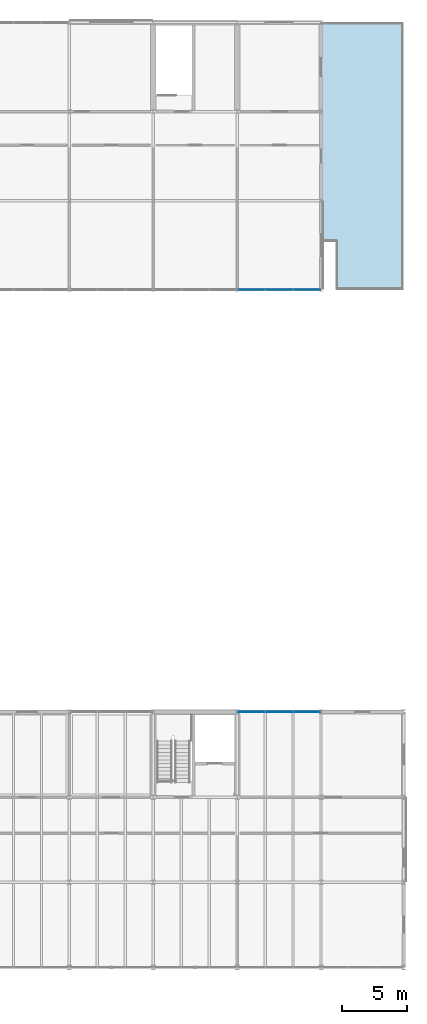
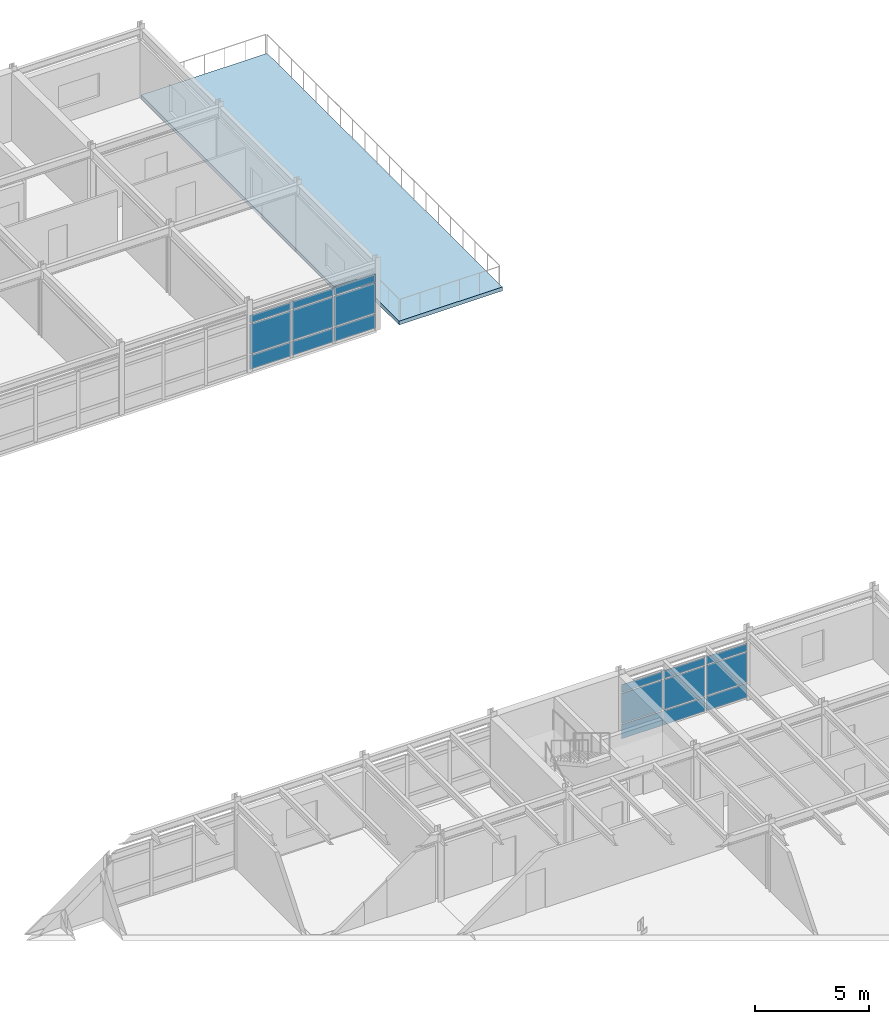
# One storey, part 38 of 57: 18 plates, 1 slab, 2 elements without a shape of their own.
"""IFC4 building model written with IfcOpenShell, lengths in metres."""

from ifc_helpers import new_model, si_unit, direction, frame, origin, origin_2d, place, context, subcontext, project, spatial, polyline, rectangle, outline, extrude, material, layer, layer_set, type_object, element, aggregate, save


model = new_model("IFC4")

# Units and contexts
model_context = context("Model", 3, precision=1e-05, world=origin(), true_north=direction((0.0, 1.0)))
body_context = subcontext(model_context, "Body", "Model", "MODEL_VIEW")
ifc_project = project(units=[si_unit("LENGTHUNIT", "METRE"), si_unit("AREAUNIT", "SQUARE_METRE"), si_unit("VOLUMEUNIT", "CUBIC_METRE"), si_unit("PLANEANGLEUNIT", "RADIAN"), si_unit("MASSUNIT", "GRAM", prefix="KILO")], contexts=[model_context])

# Site, building, storey
site_placement = place(None, origin())
site = spatial("IfcSite", under=ifc_project, at=site_placement, CompositionType="ELEMENT")
building_placement = place(site_placement, origin())
building = spatial("IfcBuilding", under=site, at=building_placement, Name="Trelmorton Wharf Fire Station", CompositionType="ELEMENT")
storey_placement = place(building_placement, frame((0.0, 0.0, 13.5)))
storey = spatial("IfcBuildingStorey", under=building, at=storey_placement, Name="L03", CompositionType="ELEMENT", Elevation=13.5)

# Curtain wall, plates
ifc_material_1 = material(Name="Anodised aluminium AW-6063", Category="aluminium")
ifc_layer_1 = layer(ifc_material_1, 0.14990234375)
ifc_layer_set_1 = layer_set([ifc_layer_1], Name="Anodised aluminium AW-6063")
curtain_wall_type_1 = type_object("IfcCurtainWallType", Name="CW_UNIT_A", PredefinedType="USERDEFINED", material=ifc_layer_set_1)
curtain_wall_1_placement = place(storey_placement, origin())
curtain_wall_1 = element("IfcCurtainWall", 1, at=curtain_wall_1_placement, inside=storey, type_object=curtain_wall_type_1, Name="CW-V5-L03-071", ObjectType="UNITISED CURTAIN WALL", PredefinedType="USERDEFINED")
ifc_material_2 = material(Name="Tempered low-E double glazing", Category="glass")
ifc_layer_2 = layer(ifc_material_2, 0.028076171875)
ifc_layer_set_2 = layer_set([ifc_layer_2], Name="Tempered low-E double glazing")
plate_type_1 = type_object("IfcPlateType", Name="CWP_GLAZ_28", PredefinedType="CURTAIN_PANEL", material=ifc_layer_set_2)
plate_1_placement = place(storey_placement, frame((150.6015625, 27.60009765625, 0.06005859375), z_axis=(0.0, 0.0, 1.0), x_axis=(1.0, 0.0, 0.0)))
plate_1 = element("IfcPlate", 2, at=plate_1_placement, type_object=plate_type_1, Name="CW3 panel 1.1", PredefinedType="CURTAIN_PANEL", context=body_context, shape_type="SweptSolid", body=[
    extrude(rectangle(XDim=2.0732421875, YDim=0.028076171875, at=origin_2d()), origin(), (0.0, 0.0, 1.0), 0.760009765625),
])
plate_2_placement = place(storey_placement, frame((150.6015625, 27.60009765625, 0.8798828125), z_axis=(0.0, 0.0, 1.0), x_axis=(1.0, 0.0, 0.0)))
plate_2 = element("IfcPlate", 3, at=plate_2_placement, type_object=plate_type_1, Name="CW3 panel 1.2", PredefinedType="CURTAIN_PANEL", context=body_context, shape_type="SweptSolid", body=[
    extrude(rectangle(XDim=2.0732421875, YDim=0.028076171875, at=origin_2d()), origin(), (0.0, 0.0, 1.0), 1.610107421875),
])
plate_3_placement = place(storey_placement, frame((150.6015625, 27.60009765625, 2.5498046875), z_axis=(0.0, 0.0, 1.0), x_axis=(1.0, 0.0, 0.0)))
plate_3 = element("IfcPlate", 4, at=plate_3_placement, type_object=plate_type_1, Name="CW3 panel 1.3", PredefinedType="CURTAIN_PANEL", context=body_context, shape_type="SweptSolid", body=[
    extrude(rectangle(XDim=2.0732421875, YDim=0.028076171875, at=origin_2d()), origin(), (0.0, 0.0, 1.0), 0.409912109375),
])
plate_4_placement = place(storey_placement, frame((152.75, 27.60009765625, 0.06005859375), z_axis=(0.0, 0.0, 1.0), x_axis=(1.0, 0.0, 0.0)))
plate_4 = element("IfcPlate", 5, at=plate_4_placement, type_object=plate_type_1, Name="CW3 panel 2.1", PredefinedType="CURTAIN_PANEL", context=body_context, shape_type="SweptSolid", body=[
    extrude(rectangle(XDim=2.103271484375, YDim=0.028076171875, at=origin_2d()), origin(), (0.0, 0.0, 1.0), 0.760009765625),
])
plate_5_placement = place(storey_placement, frame((152.75, 27.60009765625, 0.8798828125), z_axis=(0.0, 0.0, 1.0), x_axis=(1.0, 0.0, 0.0)))
plate_5 = element("IfcPlate", 6, at=plate_5_placement, type_object=plate_type_1, Name="CW3 panel 2.2", PredefinedType="CURTAIN_PANEL", context=body_context, shape_type="SweptSolid", body=[
    extrude(rectangle(XDim=2.103271484375, YDim=0.028076171875, at=origin_2d()), origin(), (0.0, 0.0, 1.0), 1.610107421875),
])
plate_6_placement = place(storey_placement, frame((152.75, 27.60009765625, 2.5498046875), z_axis=(0.0, 0.0, 1.0), x_axis=(1.0, 0.0, 0.0)))
plate_6 = element("IfcPlate", 7, at=plate_6_placement, type_object=plate_type_1, Name="CW3 panel 2.3", PredefinedType="CURTAIN_PANEL", context=body_context, shape_type="SweptSolid", body=[
    extrude(rectangle(XDim=2.103271484375, YDim=0.028076171875, at=origin_2d()), origin(), (0.0, 0.0, 1.0), 0.409912109375),
])
plate_7_placement = place(storey_placement, frame((154.8984375, 27.60009765625, 0.06005859375), z_axis=(0.0, 0.0, 1.0), x_axis=(1.0, 0.0, 0.0)))
plate_7 = element("IfcPlate", 8, at=plate_7_placement, type_object=plate_type_1, Name="CW3 panel 3.1", PredefinedType="CURTAIN_PANEL", context=body_context, shape_type="SweptSolid", body=[
    extrude(rectangle(XDim=2.0732421875, YDim=0.028076171875, at=origin_2d()), origin(), (0.0, 0.0, 1.0), 0.760009765625),
])
plate_8_placement = place(storey_placement, frame((154.8984375, 27.60009765625, 0.8798828125), z_axis=(0.0, 0.0, 1.0), x_axis=(1.0, 0.0, 0.0)))
plate_8 = element("IfcPlate", 9, at=plate_8_placement, type_object=plate_type_1, Name="CW3 panel 3.2", PredefinedType="CURTAIN_PANEL", context=body_context, shape_type="SweptSolid", body=[
    extrude(rectangle(XDim=2.0732421875, YDim=0.028076171875, at=origin_2d()), origin(), (0.0, 0.0, 1.0), 1.610107421875),
])
plate_9_placement = place(storey_placement, frame((154.8984375, 27.60009765625, 2.5498046875), z_axis=(0.0, 0.0, 1.0), x_axis=(1.0, 0.0, 0.0)))
plate_9 = element("IfcPlate", 10, at=plate_9_placement, type_object=plate_type_1, Name="CW3 panel 3.3", PredefinedType="CURTAIN_PANEL", context=body_context, shape_type="SweptSolid", body=[
    extrude(rectangle(XDim=2.0732421875, YDim=0.028076171875, at=origin_2d()), origin(), (0.0, 0.0, 1.0), 0.409912109375),
])
aggregate(curtain_wall_1, [plate_1, plate_2, plate_3, plate_4, plate_5, plate_6, plate_7, plate_8, plate_9])

ifc_layer_3 = layer(ifc_material_1, 0.175048828125)
ifc_layer_set_3 = layer_set([ifc_layer_3], Name="Anodised aluminium AW-6063")
curtain_wall_type_2 = type_object("IfcCurtainWallType", Name="CW_CHIC_B", PredefinedType="USERDEFINED", material=ifc_layer_set_3)
curtain_wall_2_placement = place(storey_placement, origin())
curtain_wall_2 = element("IfcCurtainWall", 11, at=curtain_wall_2_placement, inside=storey, type_object=curtain_wall_type_2, Name="CW-V4-L03-150", ObjectType="CHICAGO BAY CURTAIN WALL", PredefinedType="USERDEFINED")
ifc_material_3 = material(Name="Ceramic-fritted spandrel glazing", Category="glass")
ifc_layer_4 = layer(ifc_material_3, 0.028076171875)
ifc_layer_set_4 = layer_set([ifc_layer_4], Name="Ceramic-fritted spandrel glazing")
plate_type_2 = type_object("IfcPlateType", Name="CWP_SPAN_48", PredefinedType="CURTAIN_PANEL", material=ifc_layer_set_4)
plate_10_placement = place(storey_placement, frame((154.8984375, 60.300048828125, 0.06005859375), z_axis=(0.0, 0.0, 1.0), x_axis=(-1.0, 0.0, 0.0)))
plate_10 = element("IfcPlate", 12, at=plate_10_placement, type_object=plate_type_2, Name="CW2 panel 1.1", PredefinedType="CURTAIN_PANEL", context=body_context, shape_type="SweptSolid", body=[
    extrude(rectangle(XDim=2.0732421875, YDim=0.028076171875, at=origin_2d()), origin(), (0.0, 0.0, 1.0), 0.760009765625),
])
plate_11_placement = place(storey_placement, frame((154.8984375, 60.300048828125, 0.8798828125), z_axis=(0.0, 0.0, 1.0), x_axis=(-1.0, 0.0, 0.0)))
plate_11 = element("IfcPlate", 13, at=plate_11_placement, type_object=plate_type_2, Name="CW2 panel 1.2", PredefinedType="CURTAIN_PANEL", context=body_context, shape_type="SweptSolid", body=[
    extrude(rectangle(XDim=2.0732421875, YDim=0.028076171875, at=origin_2d()), origin(), (0.0, 0.0, 1.0), 1.610107421875),
])
plate_12_placement = place(storey_placement, frame((154.8984375, 60.300048828125, 2.5498046875), z_axis=(0.0, 0.0, 1.0), x_axis=(-1.0, 0.0, 0.0)))
plate_12 = element("IfcPlate", 14, at=plate_12_placement, type_object=plate_type_2, Name="CW2 panel 1.3", PredefinedType="CURTAIN_PANEL", context=body_context, shape_type="SweptSolid", body=[
    extrude(rectangle(XDim=2.0732421875, YDim=0.028076171875, at=origin_2d()), origin(), (0.0, 0.0, 1.0), 0.409912109375),
])
plate_13_placement = place(storey_placement, frame((152.75, 60.300048828125, 0.06005859375), z_axis=(0.0, 0.0, 1.0), x_axis=(-1.0, 0.0, 0.0)))
plate_13 = element("IfcPlate", 15, at=plate_13_placement, type_object=plate_type_2, Name="CW2 panel 2.1", PredefinedType="CURTAIN_PANEL", context=body_context, shape_type="SweptSolid", body=[
    extrude(rectangle(XDim=2.103271484375, YDim=0.028076171875, at=origin_2d()), origin(), (0.0, 0.0, 1.0), 0.760009765625),
])
plate_14_placement = place(storey_placement, frame((152.75, 60.300048828125, 0.8798828125), z_axis=(0.0, 0.0, 1.0), x_axis=(-1.0, 0.0, 0.0)))
plate_14 = element("IfcPlate", 16, at=plate_14_placement, type_object=plate_type_2, Name="CW2 panel 2.2", PredefinedType="CURTAIN_PANEL", context=body_context, shape_type="SweptSolid", body=[
    extrude(rectangle(XDim=2.103271484375, YDim=0.028076171875, at=origin_2d()), origin(), (0.0, 0.0, 1.0), 1.610107421875),
])
plate_15_placement = place(storey_placement, frame((152.75, 60.300048828125, 2.5498046875), z_axis=(0.0, 0.0, 1.0), x_axis=(-1.0, 0.0, 0.0)))
plate_15 = element("IfcPlate", 17, at=plate_15_placement, type_object=plate_type_2, Name="CW2 panel 2.3", PredefinedType="CURTAIN_PANEL", context=body_context, shape_type="SweptSolid", body=[
    extrude(rectangle(XDim=2.103271484375, YDim=0.028076171875, at=origin_2d()), origin(), (0.0, 0.0, 1.0), 0.409912109375),
])
plate_16_placement = place(storey_placement, frame((150.6015625, 60.300048828125, 0.06005859375), z_axis=(0.0, 0.0, 1.0), x_axis=(-1.0, 0.0, 0.0)))
plate_16 = element("IfcPlate", 18, at=plate_16_placement, type_object=plate_type_2, Name="CW2 panel 3.1", PredefinedType="CURTAIN_PANEL", context=body_context, shape_type="SweptSolid", body=[
    extrude(rectangle(XDim=2.0732421875, YDim=0.028076171875, at=origin_2d()), origin(), (0.0, 0.0, 1.0), 0.760009765625),
])
plate_17_placement = place(storey_placement, frame((150.6015625, 60.300048828125, 0.8798828125), z_axis=(0.0, 0.0, 1.0), x_axis=(-1.0, 0.0, 0.0)))
plate_17 = element("IfcPlate", 19, at=plate_17_placement, type_object=plate_type_2, Name="CW2 panel 3.2", PredefinedType="CURTAIN_PANEL", context=body_context, shape_type="SweptSolid", body=[
    extrude(rectangle(XDim=2.0732421875, YDim=0.028076171875, at=origin_2d()), origin(), (0.0, 0.0, 1.0), 1.610107421875),
])
plate_18_placement = place(storey_placement, frame((150.6015625, 60.300048828125, 2.5498046875), z_axis=(0.0, 0.0, 1.0), x_axis=(-1.0, 0.0, 0.0)))
plate_18 = element("IfcPlate", 20, at=plate_18_placement, type_object=plate_type_2, Name="CW2 panel 3.3", PredefinedType="CURTAIN_PANEL", context=body_context, shape_type="SweptSolid", body=[
    extrude(rectangle(XDim=2.0732421875, YDim=0.028076171875, at=origin_2d()), origin(), (0.0, 0.0, 1.0), 0.409912109375),
])
aggregate(curtain_wall_2, [plate_10, plate_11, plate_12, plate_13, plate_14, plate_15, plate_16, plate_17, plate_18])

# Slab
ifc_material_4 = material(Name="Concrete 40 MPa", Category="concrete")
ifc_layer_5 = layer(ifc_material_4, 0.2099609375)
ifc_layer_set_5 = layer_set([ifc_layer_5], Name="Concrete 40 MPa")
slab_type = type_object("IfcSlabType", Name="SL_TERRACE_210", PredefinedType="FLOOR", material=ifc_layer_set_5)
slab_placement = place(storey_placement, frame((0.0, 0.0, -0.2099609375)))
element("IfcSlab", 21, at=slab_placement, inside=storey, type_object=slab_type, Name="SL-EXT-V4_TERRACE_E_L03", PredefinedType="FLOOR", context=body_context, shape_type="SweptSolid", body=[
    extrude(outline(polyline([(156.0, 81.0), (162.39990234375, 81.0), (162.39990234375, 60.300048828125), (157.152099609375, 60.300048828125), (157.152099609375, 64.02587890625), (156.0, 64.02587890625), (156.0, 81.0)])), origin(), (0.0, 0.0, 1.0), 0.2099609375),
])

save(model, "model.ifc")
